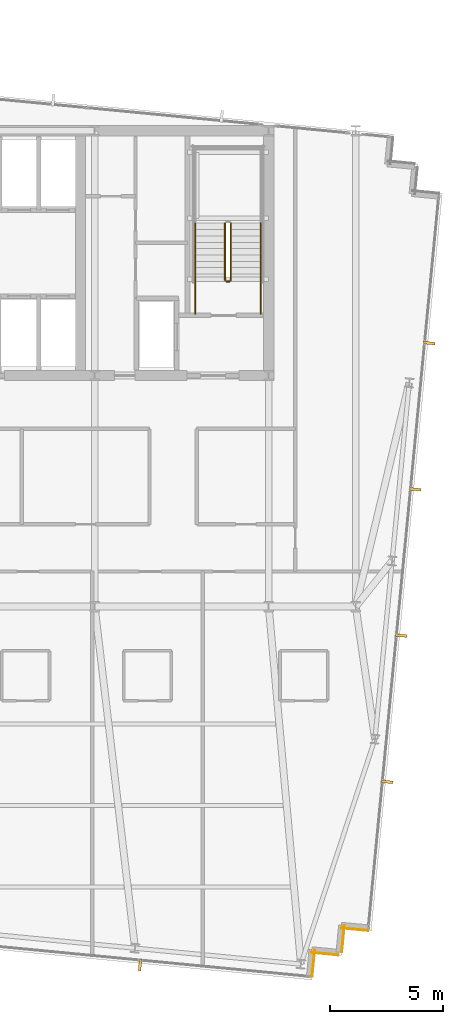
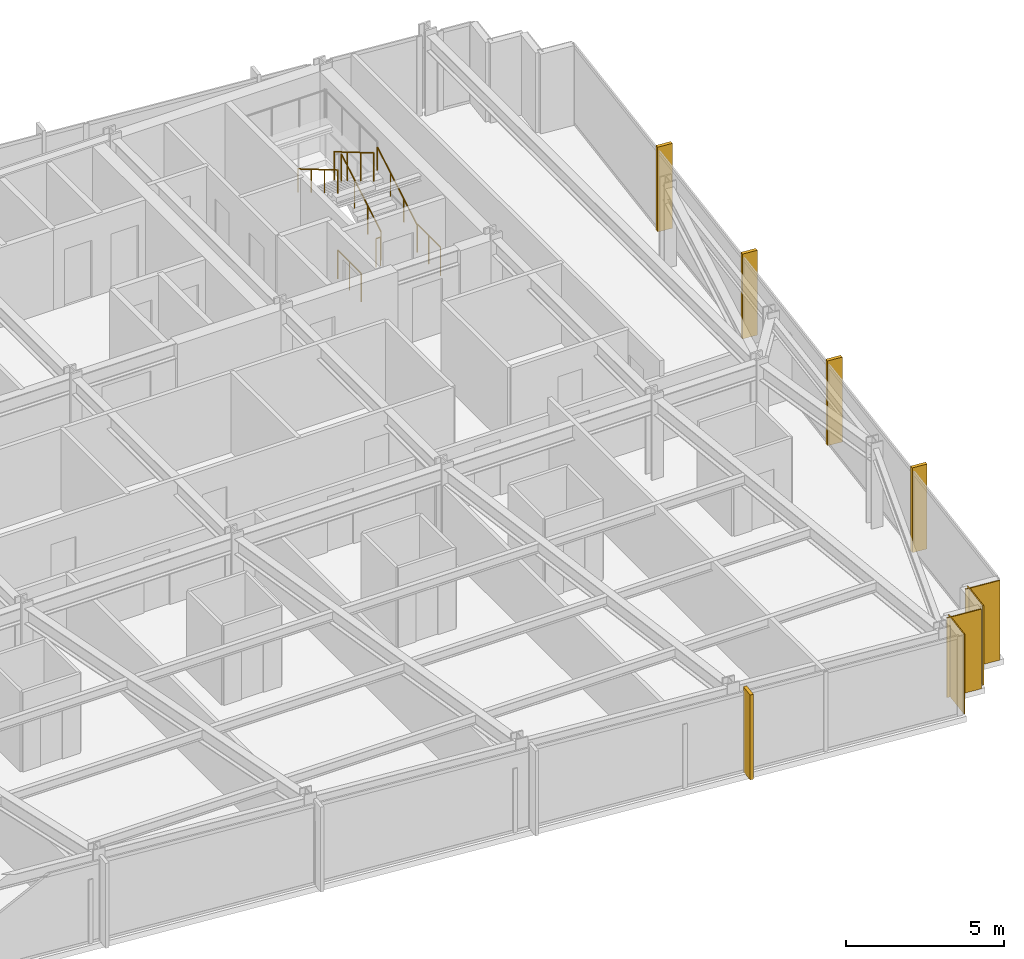
# One storey, part 35 of 37: 7 railings, 5 shading devices, 4 coverings.
"""IFC4 building model written with IfcOpenShell, lengths in metres."""

from ifc_helpers import new_model, si_unit, direction, frame, frame_2d, origin, origin_2d, place, context, subcontext, project, spatial, rectangle, circle, extrude, material, layer, layer_set, type_object, element, save


model = new_model("IFC4")

# Units and contexts
model_context = context("Model", 3, precision=1e-05, world=origin(), true_north=direction((0.0, 1.0)))
body_context = subcontext(model_context, "Body", "Model", "MODEL_VIEW")
ifc_project = project(units=[si_unit("LENGTHUNIT", "METRE"), si_unit("AREAUNIT", "SQUARE_METRE"), si_unit("VOLUMEUNIT", "CUBIC_METRE"), si_unit("PLANEANGLEUNIT", "RADIAN"), si_unit("MASSUNIT", "GRAM", prefix="KILO")], contexts=[model_context])

# Site, building, storey
site_placement = place(None, origin())
site = spatial("IfcSite", under=ifc_project, at=site_placement, CompositionType="ELEMENT")
building_placement = place(site_placement, origin())
building = spatial("IfcBuilding", under=site, at=building_placement, Name="Yelkora Congress Tower", CompositionType="ELEMENT")
storey_placement = place(building_placement, frame((0.0, 0.0, 175.39990234375)))
storey = spatial("IfcBuildingStorey", under=building, at=storey_placement, Name="L48", CompositionType="ELEMENT", Elevation=175.39990234375)

# Coverings
ifc_material_1 = material(Name="Anatolian bush-hammered limestone", Category="masonry")
ifc_layer_1 = layer(ifc_material_1, 0.0400390625)
ifc_layer_set_1 = layer_set([ifc_layer_1], Name="Anatolian bush-hammered limestone")
covering_type = type_object("IfcCoveringType", Name="COV-CLAD-SPANDREL-40", PredefinedType="CLADDING", material=ifc_layer_set_1)
covering_1_placement = place(storey_placement, frame((58.1474609375, 10.898681640625, 0.0), z_axis=(0.0, 0.0, 1.0), x_axis=(-0.995379537303, 0.096018626938, 0.0)))
element("IfcCovering", 1, at=covering_1_placement, inside=storey, type_object=covering_type, Name="L48 Anatolian Limestone Cladding EW-L48-SR16", PredefinedType="CLADDING", context=body_context, shape_type="SweptSolid", body=[
    extrude(rectangle(XDim=1.2001953125, YDim=0.0400390625, at=frame_2d((0.60009765625, 0.0))), origin(), (0.0, 0.0, 1.0), 3.080078125),
])
covering_2_placement = place(storey_placement, frame((57.10009765625, 11.13525390625, 0.0), z_axis=(0.0, 0.0, 1.0), x_axis=(-0.095836473879, -0.995397091755, 0.0)))
element("IfcCovering", 2, at=covering_2_placement, inside=storey, type_object=covering_type, Name="L48 Anatolian Limestone Cladding EW-L48-SR17", PredefinedType="CLADDING", context=body_context, shape_type="SweptSolid", body=[
    extrude(rectangle(XDim=1.199951171875, YDim=0.0400390625, at=frame_2d((0.60009765625, 0.0))), origin(), (0.0, 0.0, 1.0), 3.080078125),
])
for number, where, z_axis, x_axis, name in (
    (3, (56.837890625, 9.8193359375, 0.0), (0.0, 0.0, 1.0), (-0.995398960025, 0.095817067274, 0.0), "L48 Anatolian Limestone Cladding EW-L48-SR18"),
    (4, (55.790771484375, 10.055908203125, 0.0), (0.0, 0.0, 1.0), (-0.095817067274, -0.995398960025, 0.0), "L48 Anatolian Limestone Cladding EW-L48-SR19"),
):
    element("IfcCovering", number, at=place(storey_placement, frame(where, z_axis=z_axis, x_axis=x_axis)), inside=storey, type_object=covering_type, Name=name, PredefinedType="CLADDING", context=body_context, shape_type="SweptSolid", body=[
        extrude(rectangle(XDim=1.2001953125, YDim=0.0400390625, at=frame_2d((0.60009765625, 0.0))), origin(), (0.0, 0.0, 1.0), 3.080078125),
    ])

# Railings
ifc_material_2 = material(Name="Painted galvanised steel stair well guard with vertical infill", Category="steel")
ifc_layer_2 = layer(ifc_material_2, 0.06005859375)
ifc_layer_set_2 = layer_set([ifc_layer_2], Name="Painted galvanised steel stair well guard with vertical infill")
railing_type_1 = type_object("IfcRailingType", Name="RAIL-STAIR-GUARD-1120", PredefinedType="GUARDRAIL", material=ifc_layer_set_2)
railing_1_placement = place(storey_placement, frame((52.090087890625, 39.60009765625, 0.1650390625)))
element("IfcRailing", 5, at=railing_1_placement, inside=storey, type_object=railing_type_1, Name="ST-02 L48 Stair Well Guardrail 1", PredefinedType="GUARDRAIL", context=body_context, shape_type="SweptSolid", body=[
    extrude(circle(Radius=0.02392578125, at=origin_2d()), frame((0.0, 0.0, 1.09619140625), z_axis=(0.0, 0.86152411907, 0.507716645641), x_axis=(-1.0, 0.0, 0.0)), (0.0, 0.0, 1.0), 2.925048828125),
    extrude(circle(Radius=0.02099609375, at=origin_2d()), origin(), (0.0, 0.0, 1.0), 1.072021484375),
    extrude(circle(Radius=0.02099609375, at=origin_2d()), frame((0.0, 0.840087890625, 0.4951171875)), (0.0, 0.0, 1.0), 1.072021484375),
    extrude(circle(Radius=0.02099609375, at=origin_2d()), frame((0.0, 1.679931640625, 0.989990234375)), (0.0, 0.0, 1.0), 1.072021484375),
    extrude(circle(Radius=0.02099609375, at=origin_2d()), frame((0.0, 2.52001953125, 1.485107421875)), (0.0, 0.0, 1.0), 1.072021484375),
])
railing_2_placement = place(storey_placement, frame((51.830078125, 42.1201171875, 1.815185546875)))
element("IfcRailing", 6, at=railing_2_placement, inside=storey, type_object=railing_type_1, Name="ST-02 L48 Stair Well Guardrail 6", PredefinedType="GUARDRAIL", context=body_context, shape_type="SweptSolid", body=[
    extrude(circle(Radius=0.02392578125, at=origin_2d()), frame((0.0, 0.0, 1.09619140625), z_axis=(0.0, -0.861560626758, 0.507654692109), x_axis=(1.0, 0.0, 0.0)), (0.0, 0.0, 1.0), 2.925048828125),
    extrude(circle(Radius=0.02099609375, at=origin_2d()), origin(), (0.0, 0.0, 1.0), 1.072021484375),
    extrude(circle(Radius=0.02099609375, at=origin_2d()), frame((0.0, -0.840087890625, 0.494873046875)), (0.0, 0.0, 1.0), 1.072021484375),
    extrude(circle(Radius=0.02099609375, at=origin_2d()), frame((0.0, -1.679931640625, 0.989990234375)), (0.0, 0.0, 1.0), 1.072021484375),
    extrude(circle(Radius=0.02099609375, at=origin_2d()), frame((0.0, -2.52001953125, 1.48486328125)), (0.0, 0.0, 1.0), 1.072021484375),
])
railing_3_placement = place(storey_placement, frame((52.0400390625, 39.550048828125, 0.0)))
element("IfcRailing", 7, at=railing_3_placement, inside=storey, type_object=railing_type_1, Name="ST-02 L48 Stair Well Guardrail 7", PredefinedType="GUARDRAIL", context=body_context, shape_type="SweptSolid", body=[
    extrude(circle(Radius=0.02392578125, at=origin_2d()), frame((0.0, 0.0, 1.09619140625), z_axis=(-1.0, 0.0, 0.0), x_axis=(0.0, -1.0, 0.0)), (0.0, 0.0, 1.0), 0.16015625),
    extrude(circle(Radius=0.02099609375, at=origin_2d()), origin(), (0.0, 0.0, 1.0), 1.072021484375),
    extrude(circle(Radius=0.02099609375, at=origin_2d()), frame((-0.16015625, 0.0, 0.0)), (0.0, 0.0, 1.0), 1.072021484375),
])
for number, where, name in (
    (8, (53.409912109375, 38.1201171875, 0.0), "ST-02 L48 Stair Well Guardrail 8"),
    (9, (50.510009765625, 38.1201171875, 0.0), "ST-02 L48 Stair Well Guardrail 9"),
):
    element("IfcRailing", number, at=place(storey_placement, frame(where)), inside=storey, type_object=railing_type_1, Name=name, PredefinedType="GUARDRAIL", context=body_context, shape_type="SweptSolid", body=[
        extrude(circle(Radius=0.02392578125, at=origin_2d()), frame((0.0, 0.0, 1.09619140625), z_axis=(0.0, 1.0, 0.0), x_axis=(-1.0, 0.0, 0.0)), (0.0, 0.0, 1.0), 1.47998046875),
        extrude(circle(Radius=0.02099609375, at=origin_2d()), origin(), (0.0, 0.0, 1.0), 1.072021484375),
        extrude(circle(Radius=0.02099609375, at=origin_2d()), frame((0.0, 0.739990234375, 0.0)), (0.0, 0.0, 1.0), 1.072021484375),
        extrude(circle(Radius=0.02099609375, at=origin_2d()), frame((0.0, 1.47998046875, 0.0)), (0.0, 0.0, 1.0), 1.072021484375),
    ])
ifc_material_3 = material(Name="Brushed stainless steel tubular handrail", Category="steel")
ifc_layer_3 = layer(ifc_material_3, 0.050048828125)
ifc_layer_set_3 = layer_set([ifc_layer_3], Name="Brushed stainless steel tubular handrail")
railing_type_2 = type_object("IfcRailingType", Name="RAIL-STAIR-HAND-920", PredefinedType="HANDRAIL", material=ifc_layer_set_3)
railing_4_placement = place(storey_placement, frame((53.409912109375, 39.60009765625, 0.1650390625)))
element("IfcRailing", 10, at=railing_4_placement, inside=storey, type_object=railing_type_2, Name="ST-02 L48 Pitch Handrail 1", PredefinedType="HANDRAIL", context=body_context, shape_type="SweptSolid", body=[
    extrude(circle(Radius=0.02392578125, at=origin_2d()), frame((0.0, 0.0, 0.89599609375), z_axis=(0.0, 0.86152411907, 0.507716645641), x_axis=(-1.0, 0.0, 0.0)), (0.0, 0.0, 1.0), 2.925048828125),
    extrude(circle(Radius=0.02099609375, at=origin_2d()), origin(), (0.0, 0.0, 1.0), 0.871826171875),
    extrude(circle(Radius=0.02099609375, at=origin_2d()), frame((0.0, 0.840087890625, 0.4951171875)), (0.0, 0.0, 1.0), 0.871826171875),
    extrude(circle(Radius=0.02099609375, at=origin_2d()), frame((0.0, 1.679931640625, 0.989990234375)), (0.0, 0.0, 1.0), 0.871826171875),
    extrude(circle(Radius=0.02099609375, at=origin_2d()), frame((0.0, 2.52001953125, 1.485107421875)), (0.0, 0.0, 1.0), 0.871826171875),
])
railing_5_placement = place(storey_placement, frame((50.510009765625, 42.1201171875, 1.815185546875)))
element("IfcRailing", 11, at=railing_5_placement, inside=storey, type_object=railing_type_2, Name="ST-02 L48 Pitch Handrail 2", PredefinedType="HANDRAIL", context=body_context, shape_type="SweptSolid", body=[
    extrude(circle(Radius=0.02392578125, at=origin_2d()), frame((0.0, 0.0, 0.89599609375), z_axis=(0.0, -0.861560626758, 0.507654692109), x_axis=(1.0, 0.0, 0.0)), (0.0, 0.0, 1.0), 2.925048828125),
    extrude(circle(Radius=0.02099609375, at=origin_2d()), origin(), (0.0, 0.0, 1.0), 0.871826171875),
    extrude(circle(Radius=0.02099609375, at=origin_2d()), frame((0.0, -0.840087890625, 0.494873046875)), (0.0, 0.0, 1.0), 0.871826171875),
    extrude(circle(Radius=0.02099609375, at=origin_2d()), frame((0.0, -1.679931640625, 0.989990234375)), (0.0, 0.0, 1.0), 0.871826171875),
    extrude(circle(Radius=0.02099609375, at=origin_2d()), frame((0.0, -2.52001953125, 1.48486328125)), (0.0, 0.0, 1.0), 0.871826171875),
])

# Shading devices
ifc_material_4 = material(Name="Champagne anodised aluminium", Category="aluminium")
ifc_layer_4 = layer(ifc_material_4, 3.300048828125)
ifc_layer_set_4 = layer_set([ifc_layer_4], Name="Champagne anodised aluminium")
shading_device_type = type_object("IfcShadingDeviceType", Name="SHD-FIN-ALU-520", PredefinedType="USERDEFINED", material=ifc_layer_set_4)
for number, where, z_axis, x_axis, name in (
    (12, (60.84521484375, 36.83056640625, -0.02978515625), (0.0, 0.0, 1.0), (-0.09584575252, -0.995396198367, 0.0), "L48 Vertical Anodised Solar Fin 15-1"),
    (13, (60.223876953125, 30.37646484375, -0.02978515625), (0.0, 0.0, 1.0), (-0.09584575252, -0.995396198367, 0.0), "L48 Vertical Anodised Solar Fin 15-2"),
    (14, (59.602294921875, 23.92236328125, -0.02978515625), (0.0, 0.0, 1.0), (-0.09584575252, -0.995396198367, 0.0), "L48 Vertical Anodised Solar Fin 15-3"),
    (15, (58.98095703125, 17.46826171875, -0.02978515625), (0.0, 0.0, 1.0), (-0.09584575252, -0.995396198367, 0.0), "L48 Vertical Anodised Solar Fin 15-4"),
    (16, (48.082275390625, 9.3916015625, -0.02978515625), (0.0, 0.0, 1.0), (-0.995396198367, 0.09584575252, 0.0), "L48 Vertical Anodised Solar Fin 20-1"),
):
    element("IfcShadingDevice", number, at=place(storey_placement, frame(where, z_axis=z_axis, x_axis=x_axis)), inside=storey, type_object=shading_device_type, Name=name, ObjectType="FIN", PredefinedType="USERDEFINED", context=body_context, shape_type="SweptSolid", body=[
        extrude(rectangle(XDim=0.1201171875, YDim=0.52001953125, at=origin_2d()), origin(), (0.0, 0.0, 1.0), 3.280029296875),
    ])

save(model, "model.ifc")
